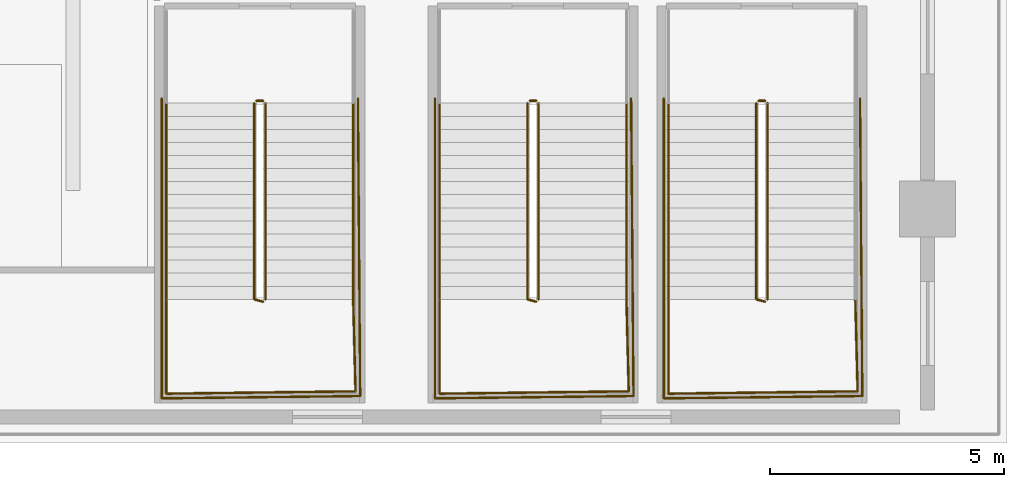
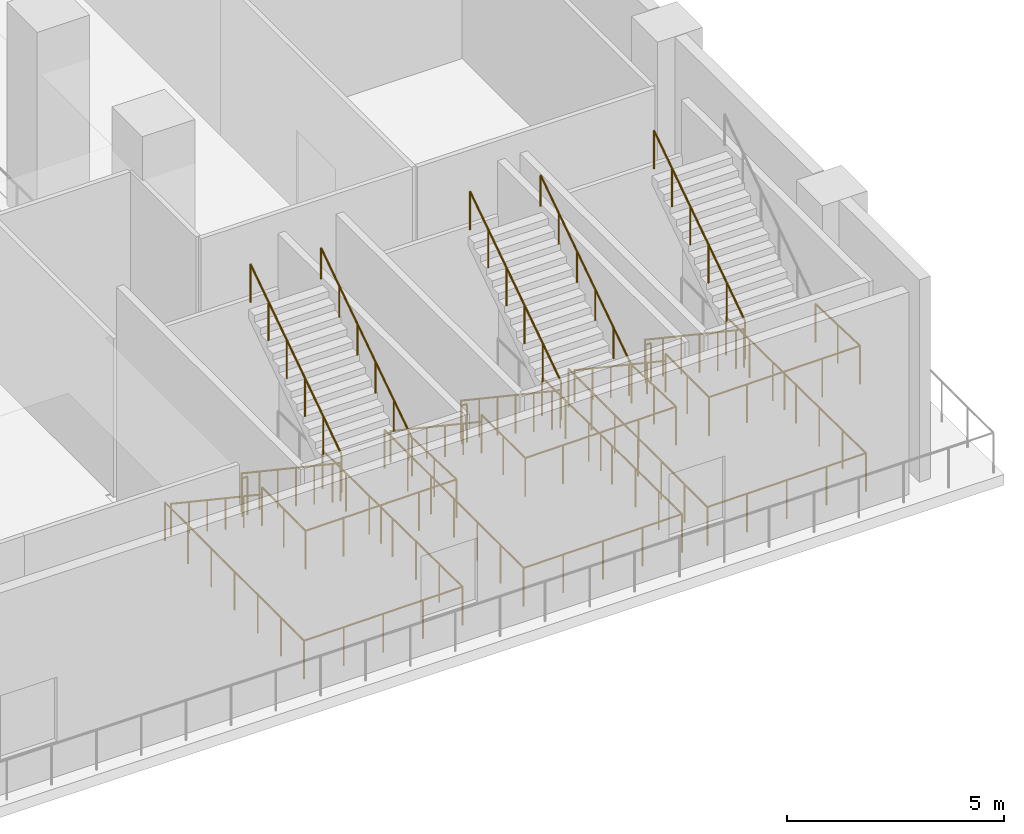
# One storey, part 24 of 28: 20 railings.
"""IFC4 building model written with IfcOpenShell, lengths in metres."""

from ifc_helpers import new_model, si_unit, direction, frame, origin, origin_2d, place, context, subcontext, project, spatial, circle, extrude, material, layer, layer_set, type_object, element, save


model = new_model("IFC4")

# Units and contexts
model_context = context("Model", 3, precision=1e-05, world=origin(), true_north=direction((0.0, 1.0)))
body_context = subcontext(model_context, "Body", "Model", "MODEL_VIEW")
ifc_project = project(units=[si_unit("LENGTHUNIT", "METRE"), si_unit("AREAUNIT", "SQUARE_METRE"), si_unit("VOLUMEUNIT", "CUBIC_METRE"), si_unit("PLANEANGLEUNIT", "RADIAN"), si_unit("MASSUNIT", "GRAM", prefix="KILO")], contexts=[model_context])

# Site, building, storey
site_placement = place(None, origin())
site = spatial("IfcSite", under=ifc_project, at=site_placement, CompositionType="ELEMENT")
building_placement = place(site_placement, origin())
building = spatial("IfcBuilding", under=site, at=building_placement, Name="Ndaravel Arena Tower", CompositionType="ELEMENT")
storey_placement = place(building_placement, frame((0.0, 0.0, 18.0)))
storey = spatial("IfcBuildingStorey", under=building, at=storey_placement, Name="L03", CompositionType="ELEMENT", Elevation=18.0)

# Railings
ifc_material_1 = material(Name="Steel S355", Category="steel")
ifc_layer_1 = layer(ifc_material_1, 0.06005859375)
ifc_layer_set_1 = layer_set([ifc_layer_1], Name="Steel S355")
railing_type_1 = type_object("IfcRailingType", Name="RAIL-STAIR-GD1100", PredefinedType="GUARDRAIL", material=ifc_layer_set_1)
railing_1_placement = place(storey_placement, frame((67.8798828125, 7.27001953125, 0.1875)))
element("IfcRailing", 1, at=railing_1_placement, inside=storey, type_object=railing_type_1, Name="L03 ST-A04 stair guard 1", PredefinedType="GUARDRAIL", context=body_context, shape_type="SweptSolid", body=[
    extrude(circle(Radius=0.02392578125, at=origin_2d()), frame((0.0, 0.0, 1.076171875), z_axis=(0.0, -0.830904186295, 0.556415522067), x_axis=(1.0, 0.0, 0.0)), (0.0, 0.0, 1.0), 5.0546875),
    extrude(circle(Radius=0.02392578125, at=origin_2d()), frame((0.0, -4.199951171875, 3.888671875), z_axis=(0.967074537263, -0.25449329928, 0.0), x_axis=(0.25449329928, 0.967074537263, 0.0)), (0.0, 0.0, 1.0), 0.19677734375),
    extrude(circle(Radius=0.02099609375, at=origin_2d()), origin(), (0.0, 0.0, 1.0), 1.052001953125),
    extrude(circle(Radius=0.02099609375, at=origin_2d()), frame((0.0, -0.840087890625, 0.5625)), (0.0, 0.0, 1.0), 1.052001953125),
    extrude(circle(Radius=0.02099609375, at=origin_2d()), frame((0.0, -1.679931640625, 1.125)), (0.0, 0.0, 1.0), 1.052001953125),
    extrude(circle(Radius=0.02099609375, at=origin_2d()), frame((0.0, -2.52001953125, 1.6875)), (0.0, 0.0, 1.0), 1.052001953125),
    extrude(circle(Radius=0.02099609375, at=origin_2d()), frame((0.0, -3.35986328125, 2.25)), (0.0, 0.0, 1.0), 1.052001953125),
    extrude(circle(Radius=0.02099609375, at=origin_2d()), frame((0.0, -4.199951171875, 2.8125)), (0.0, 0.0, 1.0), 1.052001953125),
    extrude(circle(Radius=0.02099609375, at=origin_2d()), frame((0.190185546875, -4.25, 2.8125)), (0.0, 0.0, 1.0), 1.052001953125),
])
railing_2_placement = place(storey_placement, frame((66.0, 3.070068359375, 3.0)))
element("IfcRailing", 2, at=railing_2_placement, inside=storey, type_object=railing_type_1, Name="L03 ST-A04 stair guard 2", PredefinedType="GUARDRAIL", context=body_context, shape_type="SweptSolid", body=[
    extrude(circle(Radius=0.02392578125, at=origin_2d()), frame((0.0, 0.0, 1.076171875), z_axis=(0.0, -1.0, 0.0), x_axis=(1.0, 0.0, 0.0)), (0.0, 0.0, 1.0), 2.02001953125),
    extrude(circle(Radius=0.02392578125, at=origin_2d()), frame((0.0, -2.02001953125, 1.076171875), z_axis=(0.999923653774, 0.012356642897, 0.0), x_axis=(-0.012356642897, 0.999923653774, 0.0)), (0.0, 0.0, 1.0), 4.05029296875),
    extrude(circle(Radius=0.02392578125, at=origin_2d()), frame((4.050048828125, -1.969970703125, 1.076171875), z_axis=(-0.025397679083, 0.999677426922, 0.0), x_axis=(-0.999677426922, -0.025397679083, 0.0)), (0.0, 0.0, 1.0), 1.970703125),
    extrude(circle(Radius=0.02099609375, at=origin_2d()), origin(), (0.0, 0.0, 1.0), 1.052001953125),
    extrude(circle(Radius=0.02099609375, at=origin_2d()), frame((0.0, -1.010009765625, 0.0)), (0.0, 0.0, 1.0), 1.052001953125),
    extrude(circle(Radius=0.02099609375, at=origin_2d()), frame((0.0, -2.02001953125, 0.0)), (0.0, 0.0, 1.0), 1.052001953125),
    extrude(circle(Radius=0.02099609375, at=origin_2d()), frame((1.012451171875, -2.007568359375, 0.0)), (0.0, 0.0, 1.0), 1.052001953125),
    extrude(circle(Radius=0.02099609375, at=origin_2d()), frame((2.02490234375, -1.9951171875, 0.0)), (0.0, 0.0, 1.0), 1.052001953125),
    extrude(circle(Radius=0.02099609375, at=origin_2d()), frame((3.03759765625, -1.982421875, 0.0)), (0.0, 0.0, 1.0), 1.052001953125),
    extrude(circle(Radius=0.02099609375, at=origin_2d()), frame((4.050048828125, -1.969970703125, 0.0)), (0.0, 0.0, 1.0), 1.052001953125),
    extrude(circle(Radius=0.02099609375, at=origin_2d()), frame((4.02490234375, -0.98486328125, 0.0)), (0.0, 0.0, 1.0), 1.052001953125),
    extrude(circle(Radius=0.02099609375, at=origin_2d()), frame((4.0, 0.0, 0.0)), (0.0, 0.0, 1.0), 1.052001953125),
])
railing_3_placement = place(storey_placement, frame((68.1201171875, 3.070068359375, 3.1875)))
element("IfcRailing", 3, at=railing_3_placement, inside=storey, type_object=railing_type_1, Name="L03 ST-A04 stair guard 3", PredefinedType="GUARDRAIL", context=body_context, shape_type="SweptSolid", body=[
    extrude(circle(Radius=0.02392578125, at=origin_2d()), frame((0.0, 0.0, 1.076171875), z_axis=(0.0, 0.830904186295, 0.556415522067), x_axis=(-1.0, 0.0, 0.0)), (0.0, 0.0, 1.0), 5.0546875),
    extrude(circle(Radius=0.02099609375, at=origin_2d()), origin(), (0.0, 0.0, 1.0), 1.052001953125),
    extrude(circle(Radius=0.02099609375, at=origin_2d()), frame((0.0, 0.840087890625, 0.5625)), (0.0, 0.0, 1.0), 1.052001953125),
    extrude(circle(Radius=0.02099609375, at=origin_2d()), frame((0.0, 1.679931640625, 1.125)), (0.0, 0.0, 1.0), 1.052001953125),
    extrude(circle(Radius=0.02099609375, at=origin_2d()), frame((0.0, 2.52001953125, 1.6875)), (0.0, 0.0, 1.0), 1.052001953125),
    extrude(circle(Radius=0.02099609375, at=origin_2d()), frame((0.0, 3.35986328125, 2.25)), (0.0, 0.0, 1.0), 1.052001953125),
    extrude(circle(Radius=0.02099609375, at=origin_2d()), frame((0.0, 4.199951171875, 2.8125)), (0.0, 0.0, 1.0), 1.052001953125),
])
railing_4_placement = place(storey_placement, frame((67.929931640625, 7.320068359375, 0.0)))
element("IfcRailing", 4, at=railing_4_placement, inside=storey, type_object=railing_type_1, Name="L03 ST-A04 stair guard 4", PredefinedType="GUARDRAIL", context=body_context, shape_type="SweptSolid", body=[
    extrude(circle(Radius=0.02392578125, at=origin_2d()), frame((0.0, 0.0, 1.076171875), z_axis=(1.0, 0.0, 0.0), x_axis=(0.0, 1.0, 0.0)), (0.0, 0.0, 1.0), 0.14013671875),
    extrude(circle(Radius=0.02099609375, at=origin_2d()), origin(), (0.0, 0.0, 1.0), 1.052001953125),
    extrude(circle(Radius=0.02099609375, at=origin_2d()), frame((0.14013671875, 0.0, 0.0)), (0.0, 0.0, 1.0), 1.052001953125),
])
railing_5_placement = place(storey_placement, frame((65.89990234375, 7.3701171875, 0.0)))
element("IfcRailing", 5, at=railing_5_placement, inside=storey, type_object=railing_type_1, Name="L03 ST-A04 stair guard 7", PredefinedType="GUARDRAIL", context=body_context, shape_type="SweptSolid", body=[
    extrude(circle(Radius=0.02392578125, at=origin_2d()), frame((0.0, 0.0, 1.076171875), z_axis=(0.0, -1.0, 0.0), x_axis=(1.0, 0.0, 0.0)), (0.0, 0.0, 1.0), 6.420166015625),
    extrude(circle(Radius=0.02392578125, at=origin_2d()), frame((0.0, -6.420166015625, 1.076171875), z_axis=(0.999930667828, 0.011775378384, 0.0), x_axis=(-0.011775378384, 0.999930667828, 0.0)), (0.0, 0.0, 1.0), 4.250244140625),
    extrude(circle(Radius=0.02392578125, at=origin_2d()), frame((4.25, -6.3701171875, 1.076171875), z_axis=(-0.007818249469, 0.999969437021, 0.0), x_axis=(-0.999969437021, -0.007818249469, 0.0)), (0.0, 0.0, 1.0), 6.370361328125),
    extrude(circle(Radius=0.02099609375, at=origin_2d()), origin(), (0.0, 0.0, 1.0), 1.052001953125),
    extrude(circle(Radius=0.02099609375, at=origin_2d()), frame((0.0, -1.070068359375, 0.0)), (0.0, 0.0, 1.0), 1.052001953125),
    extrude(circle(Radius=0.02099609375, at=origin_2d()), frame((0.0, -2.14013671875, 0.0)), (0.0, 0.0, 1.0), 1.052001953125),
    extrude(circle(Radius=0.02099609375, at=origin_2d()), frame((0.0, -3.2099609375, 0.0)), (0.0, 0.0, 1.0), 1.052001953125),
    extrude(circle(Radius=0.02099609375, at=origin_2d()), frame((0.0, -4.280029296875, 0.0)), (0.0, 0.0, 1.0), 1.052001953125),
    extrude(circle(Radius=0.02099609375, at=origin_2d()), frame((0.0, -5.35009765625, 0.0)), (0.0, 0.0, 1.0), 1.052001953125),
    extrude(circle(Radius=0.02099609375, at=origin_2d()), frame((0.0, -6.420166015625, 0.0)), (0.0, 0.0, 1.0), 1.052001953125),
    extrude(circle(Radius=0.02099609375, at=origin_2d()), frame((1.0625, -6.40771484375, 0.0)), (0.0, 0.0, 1.0), 1.052001953125),
    extrude(circle(Radius=0.02099609375, at=origin_2d()), frame((2.125, -6.39501953125, 0.0)), (0.0, 0.0, 1.0), 1.052001953125),
    extrude(circle(Radius=0.02099609375, at=origin_2d()), frame((3.1875, -6.382568359375, 0.0)), (0.0, 0.0, 1.0), 1.052001953125),
    extrude(circle(Radius=0.02099609375, at=origin_2d()), frame((4.25, -6.3701171875, 0.0)), (0.0, 0.0, 1.0), 1.052001953125),
    extrude(circle(Radius=0.02099609375, at=origin_2d()), frame((4.24169921875, -5.308349609375, 0.0)), (0.0, 0.0, 1.0), 1.052001953125),
    extrude(circle(Radius=0.02099609375, at=origin_2d()), frame((4.2333984375, -4.246826171875, 0.0)), (0.0, 0.0, 1.0), 1.052001953125),
    extrude(circle(Radius=0.02099609375, at=origin_2d()), frame((4.22509765625, -3.18505859375, 0.0)), (0.0, 0.0, 1.0), 1.052001953125),
    extrude(circle(Radius=0.02099609375, at=origin_2d()), frame((4.216796875, -2.123291015625, 0.0)), (0.0, 0.0, 1.0), 1.052001953125),
    extrude(circle(Radius=0.02099609375, at=origin_2d()), frame((4.20849609375, -1.061767578125, 0.0)), (0.0, 0.0, 1.0), 1.052001953125),
    extrude(circle(Radius=0.02099609375, at=origin_2d()), frame((4.2001953125, 0.0, 0.0)), (0.0, 0.0, 1.0), 1.052001953125),
])
railing_6_placement = place(storey_placement, frame((73.72998046875, 7.27001953125, 0.1875)))
element("IfcRailing", 6, at=railing_6_placement, inside=storey, type_object=railing_type_1, Name="L03 ST-A05 stair guard 1", PredefinedType="GUARDRAIL", context=body_context, shape_type="SweptSolid", body=[
    extrude(circle(Radius=0.02392578125, at=origin_2d()), frame((0.0, 0.0, 1.076171875), z_axis=(0.0, -0.830904186295, 0.556415522067), x_axis=(1.0, 0.0, 0.0)), (0.0, 0.0, 1.0), 5.0546875),
    extrude(circle(Radius=0.02392578125, at=origin_2d()), frame((0.0, -4.199951171875, 3.888671875), z_axis=(0.966993988697, -0.254799187253, 0.0), x_axis=(0.254799187253, 0.966993988697, 0.0)), (0.0, 0.0, 1.0), 0.196533203125),
    extrude(circle(Radius=0.02099609375, at=origin_2d()), origin(), (0.0, 0.0, 1.0), 1.052001953125),
    extrude(circle(Radius=0.02099609375, at=origin_2d()), frame((0.0, -0.840087890625, 0.5625)), (0.0, 0.0, 1.0), 1.052001953125),
    extrude(circle(Radius=0.02099609375, at=origin_2d()), frame((0.0, -1.679931640625, 1.125)), (0.0, 0.0, 1.0), 1.052001953125),
    extrude(circle(Radius=0.02099609375, at=origin_2d()), frame((0.0, -2.52001953125, 1.6875)), (0.0, 0.0, 1.0), 1.052001953125),
    extrude(circle(Radius=0.02099609375, at=origin_2d()), frame((0.0, -3.35986328125, 2.25)), (0.0, 0.0, 1.0), 1.052001953125),
    extrude(circle(Radius=0.02099609375, at=origin_2d()), frame((0.0, -4.199951171875, 2.8125)), (0.0, 0.0, 1.0), 1.052001953125),
    extrude(circle(Radius=0.02099609375, at=origin_2d()), frame((0.18994140625, -4.25, 2.8125)), (0.0, 0.0, 1.0), 1.052001953125),
])
railing_7_placement = place(storey_placement, frame((71.85009765625, 3.070068359375, 3.0)))
element("IfcRailing", 7, at=railing_7_placement, inside=storey, type_object=railing_type_1, Name="L03 ST-A05 stair guard 2", PredefinedType="GUARDRAIL", context=body_context, shape_type="SweptSolid", body=[
    extrude(circle(Radius=0.02392578125, at=origin_2d()), frame((0.0, 0.0, 1.076171875), z_axis=(0.0, -1.0, 0.0), x_axis=(1.0, 0.0, 0.0)), (0.0, 0.0, 1.0), 2.02001953125),
    extrude(circle(Radius=0.02392578125, at=origin_2d()), frame((0.0, -2.02001953125, 1.076171875), z_axis=(0.99992364457, 0.012357387698, 0.0), x_axis=(-0.012357387698, 0.99992364457, 0.0)), (0.0, 0.0, 1.0), 4.050048828125),
    extrude(circle(Radius=0.02392578125, at=origin_2d()), frame((4.0498046875, -1.969970703125, 1.076171875), z_axis=(-0.025273867297, 0.999680564797, 0.0), x_axis=(-0.999680564797, -0.025273867297, 0.0)), (0.0, 0.0, 1.0), 1.970703125),
    extrude(circle(Radius=0.02099609375, at=origin_2d()), origin(), (0.0, 0.0, 1.0), 1.052001953125),
    extrude(circle(Radius=0.02099609375, at=origin_2d()), frame((0.0, -1.010009765625, 0.0)), (0.0, 0.0, 1.0), 1.052001953125),
    extrude(circle(Radius=0.02099609375, at=origin_2d()), frame((0.0, -2.02001953125, 0.0)), (0.0, 0.0, 1.0), 1.052001953125),
    extrude(circle(Radius=0.02099609375, at=origin_2d()), frame((1.012451171875, -2.007568359375, 0.0)), (0.0, 0.0, 1.0), 1.052001953125),
    extrude(circle(Radius=0.02099609375, at=origin_2d()), frame((2.02490234375, -1.9951171875, 0.0)), (0.0, 0.0, 1.0), 1.052001953125),
    extrude(circle(Radius=0.02099609375, at=origin_2d()), frame((3.037353515625, -1.982421875, 0.0)), (0.0, 0.0, 1.0), 1.052001953125),
    extrude(circle(Radius=0.02099609375, at=origin_2d()), frame((4.0498046875, -1.969970703125, 0.0)), (0.0, 0.0, 1.0), 1.052001953125),
    extrude(circle(Radius=0.02099609375, at=origin_2d()), frame((4.02490234375, -0.98486328125, 0.0)), (0.0, 0.0, 1.0), 1.052001953125),
    extrude(circle(Radius=0.02099609375, at=origin_2d()), frame((4.0, 0.0, 0.0)), (0.0, 0.0, 1.0), 1.052001953125),
])
railing_8_placement = place(storey_placement, frame((73.969970703125, 3.070068359375, 3.1875)))
element("IfcRailing", 8, at=railing_8_placement, inside=storey, type_object=railing_type_1, Name="L03 ST-A05 stair guard 3", PredefinedType="GUARDRAIL", context=body_context, shape_type="SweptSolid", body=[
    extrude(circle(Radius=0.02392578125, at=origin_2d()), frame((0.0, 0.0, 1.076171875), z_axis=(0.0, 0.830904186295, 0.556415522067), x_axis=(-1.0, 0.0, 0.0)), (0.0, 0.0, 1.0), 5.0546875),
    extrude(circle(Radius=0.02099609375, at=origin_2d()), origin(), (0.0, 0.0, 1.0), 1.052001953125),
    extrude(circle(Radius=0.02099609375, at=origin_2d()), frame((0.0, 0.840087890625, 0.5625)), (0.0, 0.0, 1.0), 1.052001953125),
    extrude(circle(Radius=0.02099609375, at=origin_2d()), frame((0.0, 1.679931640625, 1.125)), (0.0, 0.0, 1.0), 1.052001953125),
    extrude(circle(Radius=0.02099609375, at=origin_2d()), frame((0.0, 2.52001953125, 1.6875)), (0.0, 0.0, 1.0), 1.052001953125),
    extrude(circle(Radius=0.02099609375, at=origin_2d()), frame((0.0, 3.35986328125, 2.25)), (0.0, 0.0, 1.0), 1.052001953125),
    extrude(circle(Radius=0.02099609375, at=origin_2d()), frame((0.0, 4.199951171875, 2.8125)), (0.0, 0.0, 1.0), 1.052001953125),
])
railing_9_placement = place(storey_placement, frame((73.780029296875, 7.320068359375, 0.0)))
element("IfcRailing", 9, at=railing_9_placement, inside=storey, type_object=railing_type_1, Name="L03 ST-A05 stair guard 4", PredefinedType="GUARDRAIL", context=body_context, shape_type="SweptSolid", body=[
    extrude(circle(Radius=0.02392578125, at=origin_2d()), frame((0.0, 0.0, 1.076171875), z_axis=(1.0, 0.0, 0.0), x_axis=(0.0, 1.0, 0.0)), (0.0, 0.0, 1.0), 0.139892578125),
    extrude(circle(Radius=0.02099609375, at=origin_2d()), origin(), (0.0, 0.0, 1.0), 1.052001953125),
    extrude(circle(Radius=0.02099609375, at=origin_2d()), frame((0.139892578125, 0.0, 0.0)), (0.0, 0.0, 1.0), 1.052001953125),
])
railing_10_placement = place(storey_placement, frame((71.75, 7.3701171875, 0.0)))
element("IfcRailing", 10, at=railing_10_placement, inside=storey, type_object=railing_type_1, Name="L03 ST-A05 stair guard 7", PredefinedType="GUARDRAIL", context=body_context, shape_type="SweptSolid", body=[
    extrude(circle(Radius=0.02392578125, at=origin_2d()), frame((0.0, 0.0, 1.076171875), z_axis=(0.0, -1.0, 0.0), x_axis=(1.0, 0.0, 0.0)), (0.0, 0.0, 1.0), 6.420166015625),
    extrude(circle(Radius=0.02392578125, at=origin_2d()), frame((0.0, -6.420166015625, 1.076171875), z_axis=(0.999930667828, 0.011775378384, 0.0), x_axis=(-0.011775378384, 0.999930667828, 0.0)), (0.0, 0.0, 1.0), 4.250244140625),
    extrude(circle(Radius=0.02392578125, at=origin_2d()), frame((4.25, -6.3701171875, 1.076171875), z_axis=(-0.007856571862, 0.999969136663, 0.0), x_axis=(-0.999969136663, -0.007856571862, 0.0)), (0.0, 0.0, 1.0), 6.370361328125),
    extrude(circle(Radius=0.02099609375, at=origin_2d()), origin(), (0.0, 0.0, 1.0), 1.052001953125),
    extrude(circle(Radius=0.02099609375, at=origin_2d()), frame((0.0, -1.070068359375, 0.0)), (0.0, 0.0, 1.0), 1.052001953125),
    extrude(circle(Radius=0.02099609375, at=origin_2d()), frame((0.0, -2.14013671875, 0.0)), (0.0, 0.0, 1.0), 1.052001953125),
    extrude(circle(Radius=0.02099609375, at=origin_2d()), frame((0.0, -3.2099609375, 0.0)), (0.0, 0.0, 1.0), 1.052001953125),
    extrude(circle(Radius=0.02099609375, at=origin_2d()), frame((0.0, -4.280029296875, 0.0)), (0.0, 0.0, 1.0), 1.052001953125),
    extrude(circle(Radius=0.02099609375, at=origin_2d()), frame((0.0, -5.35009765625, 0.0)), (0.0, 0.0, 1.0), 1.052001953125),
    extrude(circle(Radius=0.02099609375, at=origin_2d()), frame((0.0, -6.420166015625, 0.0)), (0.0, 0.0, 1.0), 1.052001953125),
    extrude(circle(Radius=0.02099609375, at=origin_2d()), frame((1.0625, -6.40771484375, 0.0)), (0.0, 0.0, 1.0), 1.052001953125),
    extrude(circle(Radius=0.02099609375, at=origin_2d()), frame((2.125, -6.39501953125, 0.0)), (0.0, 0.0, 1.0), 1.052001953125),
    extrude(circle(Radius=0.02099609375, at=origin_2d()), frame((3.1875, -6.382568359375, 0.0)), (0.0, 0.0, 1.0), 1.052001953125),
    extrude(circle(Radius=0.02099609375, at=origin_2d()), frame((4.25, -6.3701171875, 0.0)), (0.0, 0.0, 1.0), 1.052001953125),
    extrude(circle(Radius=0.02099609375, at=origin_2d()), frame((4.24169921875, -5.308349609375, 0.0)), (0.0, 0.0, 1.0), 1.052001953125),
    extrude(circle(Radius=0.02099609375, at=origin_2d()), frame((4.2333984375, -4.246826171875, 0.0)), (0.0, 0.0, 1.0), 1.052001953125),
    extrude(circle(Radius=0.02099609375, at=origin_2d()), frame((4.22509765625, -3.18505859375, 0.0)), (0.0, 0.0, 1.0), 1.052001953125),
    extrude(circle(Radius=0.02099609375, at=origin_2d()), frame((4.216552734375, -2.123291015625, 0.0)), (0.0, 0.0, 1.0), 1.052001953125),
    extrude(circle(Radius=0.02099609375, at=origin_2d()), frame((4.208251953125, -1.061767578125, 0.0)), (0.0, 0.0, 1.0), 1.052001953125),
    extrude(circle(Radius=0.02099609375, at=origin_2d()), frame((4.199951171875, 0.0, 0.0)), (0.0, 0.0, 1.0), 1.052001953125),
])
railing_11_placement = place(storey_placement, frame((78.6298828125, 7.27001953125, 0.1875)))
element("IfcRailing", 11, at=railing_11_placement, inside=storey, type_object=railing_type_1, Name="L03 ST-A06 stair guard 1", PredefinedType="GUARDRAIL", context=body_context, shape_type="SweptSolid", body=[
    extrude(circle(Radius=0.02392578125, at=origin_2d()), frame((0.0, 0.0, 1.076171875), z_axis=(0.0, -0.830904186295, 0.556415522067), x_axis=(1.0, 0.0, 0.0)), (0.0, 0.0, 1.0), 5.0546875),
    extrude(circle(Radius=0.02392578125, at=origin_2d()), frame((0.0, -4.199951171875, 3.888671875), z_axis=(0.967074537263, -0.25449329928, 0.0), x_axis=(0.25449329928, 0.967074537263, 0.0)), (0.0, 0.0, 1.0), 0.19677734375),
    extrude(circle(Radius=0.02099609375, at=origin_2d()), origin(), (0.0, 0.0, 1.0), 1.052001953125),
    extrude(circle(Radius=0.02099609375, at=origin_2d()), frame((0.0, -0.840087890625, 0.5625)), (0.0, 0.0, 1.0), 1.052001953125),
    extrude(circle(Radius=0.02099609375, at=origin_2d()), frame((0.0, -1.679931640625, 1.125)), (0.0, 0.0, 1.0), 1.052001953125),
    extrude(circle(Radius=0.02099609375, at=origin_2d()), frame((0.0, -2.52001953125, 1.6875)), (0.0, 0.0, 1.0), 1.052001953125),
    extrude(circle(Radius=0.02099609375, at=origin_2d()), frame((0.0, -3.35986328125, 2.25)), (0.0, 0.0, 1.0), 1.052001953125),
    extrude(circle(Radius=0.02099609375, at=origin_2d()), frame((0.0, -4.199951171875, 2.8125)), (0.0, 0.0, 1.0), 1.052001953125),
    extrude(circle(Radius=0.02099609375, at=origin_2d()), frame((0.190185546875, -4.25, 2.8125)), (0.0, 0.0, 1.0), 1.052001953125),
])
railing_12_placement = place(storey_placement, frame((76.75, 3.070068359375, 3.0)))
element("IfcRailing", 12, at=railing_12_placement, inside=storey, type_object=railing_type_1, Name="L03 ST-A06 stair guard 2", PredefinedType="GUARDRAIL", context=body_context, shape_type="SweptSolid", body=[
    extrude(circle(Radius=0.02392578125, at=origin_2d()), frame((0.0, 0.0, 1.076171875), z_axis=(0.0, -1.0, 0.0), x_axis=(1.0, 0.0, 0.0)), (0.0, 0.0, 1.0), 2.02001953125),
    extrude(circle(Radius=0.02392578125, at=origin_2d()), frame((0.0, -2.02001953125, 1.076171875), z_axis=(0.999923653774, 0.012356642897, 0.0), x_axis=(-0.012356642897, 0.999923653774, 0.0)), (0.0, 0.0, 1.0), 4.05029296875),
    extrude(circle(Radius=0.02392578125, at=origin_2d()), frame((4.050048828125, -1.969970703125, 1.076171875), z_axis=(-0.025397679083, 0.999677426922, 0.0), x_axis=(-0.999677426922, -0.025397679083, 0.0)), (0.0, 0.0, 1.0), 1.970703125),
    extrude(circle(Radius=0.02099609375, at=origin_2d()), origin(), (0.0, 0.0, 1.0), 1.052001953125),
    extrude(circle(Radius=0.02099609375, at=origin_2d()), frame((0.0, -1.010009765625, 0.0)), (0.0, 0.0, 1.0), 1.052001953125),
    extrude(circle(Radius=0.02099609375, at=origin_2d()), frame((0.0, -2.02001953125, 0.0)), (0.0, 0.0, 1.0), 1.052001953125),
    extrude(circle(Radius=0.02099609375, at=origin_2d()), frame((1.012451171875, -2.007568359375, 0.0)), (0.0, 0.0, 1.0), 1.052001953125),
    extrude(circle(Radius=0.02099609375, at=origin_2d()), frame((2.02490234375, -1.9951171875, 0.0)), (0.0, 0.0, 1.0), 1.052001953125),
    extrude(circle(Radius=0.02099609375, at=origin_2d()), frame((3.03759765625, -1.982421875, 0.0)), (0.0, 0.0, 1.0), 1.052001953125),
    extrude(circle(Radius=0.02099609375, at=origin_2d()), frame((4.050048828125, -1.969970703125, 0.0)), (0.0, 0.0, 1.0), 1.052001953125),
    extrude(circle(Radius=0.02099609375, at=origin_2d()), frame((4.02490234375, -0.98486328125, 0.0)), (0.0, 0.0, 1.0), 1.052001953125),
    extrude(circle(Radius=0.02099609375, at=origin_2d()), frame((4.0, 0.0, 0.0)), (0.0, 0.0, 1.0), 1.052001953125),
])
railing_13_placement = place(storey_placement, frame((78.8701171875, 3.070068359375, 3.1875)))
element("IfcRailing", 13, at=railing_13_placement, inside=storey, type_object=railing_type_1, Name="L03 ST-A06 stair guard 3", PredefinedType="GUARDRAIL", context=body_context, shape_type="SweptSolid", body=[
    extrude(circle(Radius=0.02392578125, at=origin_2d()), frame((0.0, 0.0, 1.076171875), z_axis=(0.0, 0.830904186295, 0.556415522067), x_axis=(-1.0, 0.0, 0.0)), (0.0, 0.0, 1.0), 5.0546875),
    extrude(circle(Radius=0.02099609375, at=origin_2d()), origin(), (0.0, 0.0, 1.0), 1.052001953125),
    extrude(circle(Radius=0.02099609375, at=origin_2d()), frame((0.0, 0.840087890625, 0.5625)), (0.0, 0.0, 1.0), 1.052001953125),
    extrude(circle(Radius=0.02099609375, at=origin_2d()), frame((0.0, 1.679931640625, 1.125)), (0.0, 0.0, 1.0), 1.052001953125),
    extrude(circle(Radius=0.02099609375, at=origin_2d()), frame((0.0, 2.52001953125, 1.6875)), (0.0, 0.0, 1.0), 1.052001953125),
    extrude(circle(Radius=0.02099609375, at=origin_2d()), frame((0.0, 3.35986328125, 2.25)), (0.0, 0.0, 1.0), 1.052001953125),
    extrude(circle(Radius=0.02099609375, at=origin_2d()), frame((0.0, 4.199951171875, 2.8125)), (0.0, 0.0, 1.0), 1.052001953125),
])
railing_14_placement = place(storey_placement, frame((78.679931640625, 7.320068359375, 0.0)))
element("IfcRailing", 14, at=railing_14_placement, inside=storey, type_object=railing_type_1, Name="L03 ST-A06 stair guard 4", PredefinedType="GUARDRAIL", context=body_context, shape_type="SweptSolid", body=[
    extrude(circle(Radius=0.02392578125, at=origin_2d()), frame((0.0, 0.0, 1.076171875), z_axis=(1.0, 0.0, 0.0), x_axis=(0.0, 1.0, 0.0)), (0.0, 0.0, 1.0), 0.14013671875),
    extrude(circle(Radius=0.02099609375, at=origin_2d()), origin(), (0.0, 0.0, 1.0), 1.052001953125),
    extrude(circle(Radius=0.02099609375, at=origin_2d()), frame((0.14013671875, 0.0, 0.0)), (0.0, 0.0, 1.0), 1.052001953125),
])
railing_15_placement = place(storey_placement, frame((76.64990234375, 7.3701171875, 0.0)))
element("IfcRailing", 15, at=railing_15_placement, inside=storey, type_object=railing_type_1, Name="L03 ST-A06 stair guard 7", PredefinedType="GUARDRAIL", context=body_context, shape_type="SweptSolid", body=[
    extrude(circle(Radius=0.02392578125, at=origin_2d()), frame((0.0, 0.0, 1.076171875), z_axis=(0.0, -1.0, 0.0), x_axis=(1.0, 0.0, 0.0)), (0.0, 0.0, 1.0), 6.420166015625),
    extrude(circle(Radius=0.02392578125, at=origin_2d()), frame((0.0, -6.420166015625, 1.076171875), z_axis=(0.999930667828, 0.011775378384, 0.0), x_axis=(-0.011775378384, 0.999930667828, 0.0)), (0.0, 0.0, 1.0), 4.250244140625),
    extrude(circle(Radius=0.02392578125, at=origin_2d()), frame((4.25, -6.3701171875, 1.076171875), z_axis=(-0.007818249469, 0.999969437021, 0.0), x_axis=(-0.999969437021, -0.007818249469, 0.0)), (0.0, 0.0, 1.0), 6.370361328125),
    extrude(circle(Radius=0.02099609375, at=origin_2d()), origin(), (0.0, 0.0, 1.0), 1.052001953125),
    extrude(circle(Radius=0.02099609375, at=origin_2d()), frame((0.0, -1.070068359375, 0.0)), (0.0, 0.0, 1.0), 1.052001953125),
    extrude(circle(Radius=0.02099609375, at=origin_2d()), frame((0.0, -2.14013671875, 0.0)), (0.0, 0.0, 1.0), 1.052001953125),
    extrude(circle(Radius=0.02099609375, at=origin_2d()), frame((0.0, -3.2099609375, 0.0)), (0.0, 0.0, 1.0), 1.052001953125),
    extrude(circle(Radius=0.02099609375, at=origin_2d()), frame((0.0, -4.280029296875, 0.0)), (0.0, 0.0, 1.0), 1.052001953125),
    extrude(circle(Radius=0.02099609375, at=origin_2d()), frame((0.0, -5.35009765625, 0.0)), (0.0, 0.0, 1.0), 1.052001953125),
    extrude(circle(Radius=0.02099609375, at=origin_2d()), frame((0.0, -6.420166015625, 0.0)), (0.0, 0.0, 1.0), 1.052001953125),
    extrude(circle(Radius=0.02099609375, at=origin_2d()), frame((1.0625, -6.40771484375, 0.0)), (0.0, 0.0, 1.0), 1.052001953125),
    extrude(circle(Radius=0.02099609375, at=origin_2d()), frame((2.125, -6.39501953125, 0.0)), (0.0, 0.0, 1.0), 1.052001953125),
    extrude(circle(Radius=0.02099609375, at=origin_2d()), frame((3.1875, -6.382568359375, 0.0)), (0.0, 0.0, 1.0), 1.052001953125),
    extrude(circle(Radius=0.02099609375, at=origin_2d()), frame((4.25, -6.3701171875, 0.0)), (0.0, 0.0, 1.0), 1.052001953125),
    extrude(circle(Radius=0.02099609375, at=origin_2d()), frame((4.24169921875, -5.308349609375, 0.0)), (0.0, 0.0, 1.0), 1.052001953125),
    extrude(circle(Radius=0.02099609375, at=origin_2d()), frame((4.2333984375, -4.246826171875, 0.0)), (0.0, 0.0, 1.0), 1.052001953125),
    extrude(circle(Radius=0.02099609375, at=origin_2d()), frame((4.22509765625, -3.18505859375, 0.0)), (0.0, 0.0, 1.0), 1.052001953125),
    extrude(circle(Radius=0.02099609375, at=origin_2d()), frame((4.216796875, -2.123291015625, 0.0)), (0.0, 0.0, 1.0), 1.052001953125),
    extrude(circle(Radius=0.02099609375, at=origin_2d()), frame((4.20849609375, -1.061767578125, 0.0)), (0.0, 0.0, 1.0), 1.052001953125),
    extrude(circle(Radius=0.02099609375, at=origin_2d()), frame((4.2001953125, 0.0, 0.0)), (0.0, 0.0, 1.0), 1.052001953125),
])
ifc_material_2 = material(Name="Steel S355", Category="steel")
ifc_layer_2 = layer(ifc_material_2, 0.050048828125)
ifc_layer_set_2 = layer_set([ifc_layer_2], Name="Steel S355")
railing_type_2 = type_object("IfcRailingType", Name="RAIL-STAIR-HR920", PredefinedType="HANDRAIL", material=ifc_layer_set_2)
railing_16_placement = place(storey_placement, frame((66.0, 7.27001953125, 0.1875)))
element("IfcRailing", 16, at=railing_16_placement, inside=storey, type_object=railing_type_2, Name="L03 ST-A04 stair handrail 1", PredefinedType="HANDRAIL", context=body_context, shape_type="SweptSolid", body=[
    extrude(circle(Radius=0.02392578125, at=origin_2d()), frame((0.0, 0.0, 0.8759765625), z_axis=(0.0, -0.830904186295, 0.556415522067), x_axis=(1.0, 0.0, 0.0)), (0.0, 0.0, 1.0), 5.0546875),
    extrude(circle(Radius=0.02099609375, at=origin_2d()), origin(), (0.0, 0.0, 1.0), 0.851806640625),
    extrude(circle(Radius=0.02099609375, at=origin_2d()), frame((0.0, -0.840087890625, 0.5625)), (0.0, 0.0, 1.0), 0.851806640625),
    extrude(circle(Radius=0.02099609375, at=origin_2d()), frame((0.0, -1.679931640625, 1.125)), (0.0, 0.0, 1.0), 0.851806640625),
    extrude(circle(Radius=0.02099609375, at=origin_2d()), frame((0.0, -2.52001953125, 1.6875)), (0.0, 0.0, 1.0), 0.851806640625),
    extrude(circle(Radius=0.02099609375, at=origin_2d()), frame((0.0, -3.35986328125, 2.25)), (0.0, 0.0, 1.0), 0.851806640625),
    extrude(circle(Radius=0.02099609375, at=origin_2d()), frame((0.0, -4.199951171875, 2.8125)), (0.0, 0.0, 1.0), 0.851806640625),
])
railing_17_placement = place(storey_placement, frame((70.0, 3.070068359375, 3.1875)))
element("IfcRailing", 17, at=railing_17_placement, inside=storey, type_object=railing_type_2, Name="L03 ST-A04 stair handrail 2", PredefinedType="HANDRAIL", context=body_context, shape_type="SweptSolid", body=[
    extrude(circle(Radius=0.02392578125, at=origin_2d()), frame((0.0, 0.0, 0.8759765625), z_axis=(0.0, 0.830904186295, 0.556415522067), x_axis=(-1.0, 0.0, 0.0)), (0.0, 0.0, 1.0), 5.0546875),
    extrude(circle(Radius=0.02099609375, at=origin_2d()), origin(), (0.0, 0.0, 1.0), 0.851806640625),
    extrude(circle(Radius=0.02099609375, at=origin_2d()), frame((0.0, 0.840087890625, 0.5625)), (0.0, 0.0, 1.0), 0.851806640625),
    extrude(circle(Radius=0.02099609375, at=origin_2d()), frame((0.0, 1.679931640625, 1.125)), (0.0, 0.0, 1.0), 0.851806640625),
    extrude(circle(Radius=0.02099609375, at=origin_2d()), frame((0.0, 2.52001953125, 1.6875)), (0.0, 0.0, 1.0), 0.851806640625),
    extrude(circle(Radius=0.02099609375, at=origin_2d()), frame((0.0, 3.35986328125, 2.25)), (0.0, 0.0, 1.0), 0.851806640625),
    extrude(circle(Radius=0.02099609375, at=origin_2d()), frame((0.0, 4.199951171875, 2.8125)), (0.0, 0.0, 1.0), 0.851806640625),
])
railing_18_placement = place(storey_placement, frame((71.85009765625, 7.27001953125, 0.1875)))
element("IfcRailing", 18, at=railing_18_placement, inside=storey, type_object=railing_type_2, Name="L03 ST-A05 stair handrail 1", PredefinedType="HANDRAIL", context=body_context, shape_type="SweptSolid", body=[
    extrude(circle(Radius=0.02392578125, at=origin_2d()), frame((0.0, 0.0, 0.8759765625), z_axis=(0.0, -0.830904186295, 0.556415522067), x_axis=(1.0, 0.0, 0.0)), (0.0, 0.0, 1.0), 5.0546875),
    extrude(circle(Radius=0.02099609375, at=origin_2d()), origin(), (0.0, 0.0, 1.0), 0.851806640625),
    extrude(circle(Radius=0.02099609375, at=origin_2d()), frame((0.0, -0.840087890625, 0.5625)), (0.0, 0.0, 1.0), 0.851806640625),
    extrude(circle(Radius=0.02099609375, at=origin_2d()), frame((0.0, -1.679931640625, 1.125)), (0.0, 0.0, 1.0), 0.851806640625),
    extrude(circle(Radius=0.02099609375, at=origin_2d()), frame((0.0, -2.52001953125, 1.6875)), (0.0, 0.0, 1.0), 0.851806640625),
    extrude(circle(Radius=0.02099609375, at=origin_2d()), frame((0.0, -3.35986328125, 2.25)), (0.0, 0.0, 1.0), 0.851806640625),
    extrude(circle(Radius=0.02099609375, at=origin_2d()), frame((0.0, -4.199951171875, 2.8125)), (0.0, 0.0, 1.0), 0.851806640625),
])
railing_19_placement = place(storey_placement, frame((75.85009765625, 3.070068359375, 3.1875)))
element("IfcRailing", 19, at=railing_19_placement, inside=storey, type_object=railing_type_2, Name="L03 ST-A05 stair handrail 2", PredefinedType="HANDRAIL", context=body_context, shape_type="SweptSolid", body=[
    extrude(circle(Radius=0.02392578125, at=origin_2d()), frame((0.0, 0.0, 0.8759765625), z_axis=(0.0, 0.830904186295, 0.556415522067), x_axis=(-1.0, 0.0, 0.0)), (0.0, 0.0, 1.0), 5.0546875),
    extrude(circle(Radius=0.02099609375, at=origin_2d()), origin(), (0.0, 0.0, 1.0), 0.851806640625),
    extrude(circle(Radius=0.02099609375, at=origin_2d()), frame((0.0, 0.840087890625, 0.5625)), (0.0, 0.0, 1.0), 0.851806640625),
    extrude(circle(Radius=0.02099609375, at=origin_2d()), frame((0.0, 1.679931640625, 1.125)), (0.0, 0.0, 1.0), 0.851806640625),
    extrude(circle(Radius=0.02099609375, at=origin_2d()), frame((0.0, 2.52001953125, 1.6875)), (0.0, 0.0, 1.0), 0.851806640625),
    extrude(circle(Radius=0.02099609375, at=origin_2d()), frame((0.0, 3.35986328125, 2.25)), (0.0, 0.0, 1.0), 0.851806640625),
    extrude(circle(Radius=0.02099609375, at=origin_2d()), frame((0.0, 4.199951171875, 2.8125)), (0.0, 0.0, 1.0), 0.851806640625),
])
railing_20_placement = place(storey_placement, frame((76.75, 7.27001953125, 0.1875)))
element("IfcRailing", 20, at=railing_20_placement, inside=storey, type_object=railing_type_2, Name="L03 ST-A06 stair handrail 1", PredefinedType="HANDRAIL", context=body_context, shape_type="SweptSolid", body=[
    extrude(circle(Radius=0.02392578125, at=origin_2d()), frame((0.0, 0.0, 0.8759765625), z_axis=(0.0, -0.830904186295, 0.556415522067), x_axis=(1.0, 0.0, 0.0)), (0.0, 0.0, 1.0), 5.0546875),
    extrude(circle(Radius=0.02099609375, at=origin_2d()), origin(), (0.0, 0.0, 1.0), 0.851806640625),
    extrude(circle(Radius=0.02099609375, at=origin_2d()), frame((0.0, -0.840087890625, 0.5625)), (0.0, 0.0, 1.0), 0.851806640625),
    extrude(circle(Radius=0.02099609375, at=origin_2d()), frame((0.0, -1.679931640625, 1.125)), (0.0, 0.0, 1.0), 0.851806640625),
    extrude(circle(Radius=0.02099609375, at=origin_2d()), frame((0.0, -2.52001953125, 1.6875)), (0.0, 0.0, 1.0), 0.851806640625),
    extrude(circle(Radius=0.02099609375, at=origin_2d()), frame((0.0, -3.35986328125, 2.25)), (0.0, 0.0, 1.0), 0.851806640625),
    extrude(circle(Radius=0.02099609375, at=origin_2d()), frame((0.0, -4.199951171875, 2.8125)), (0.0, 0.0, 1.0), 0.851806640625),
])

save(model, "model.ifc")
